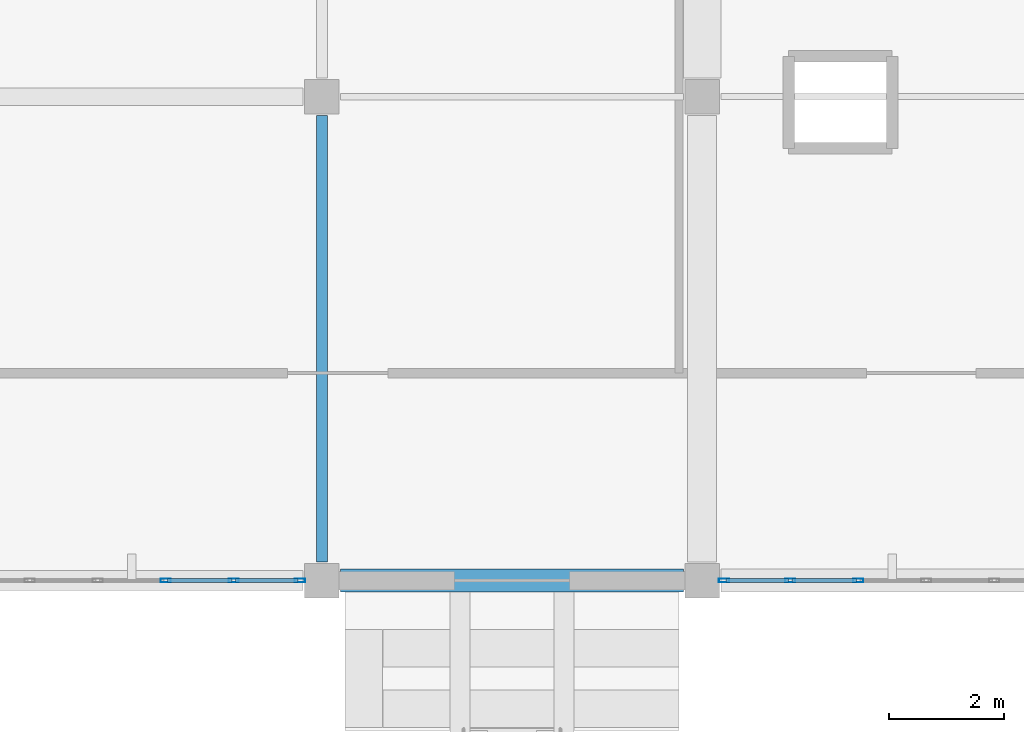
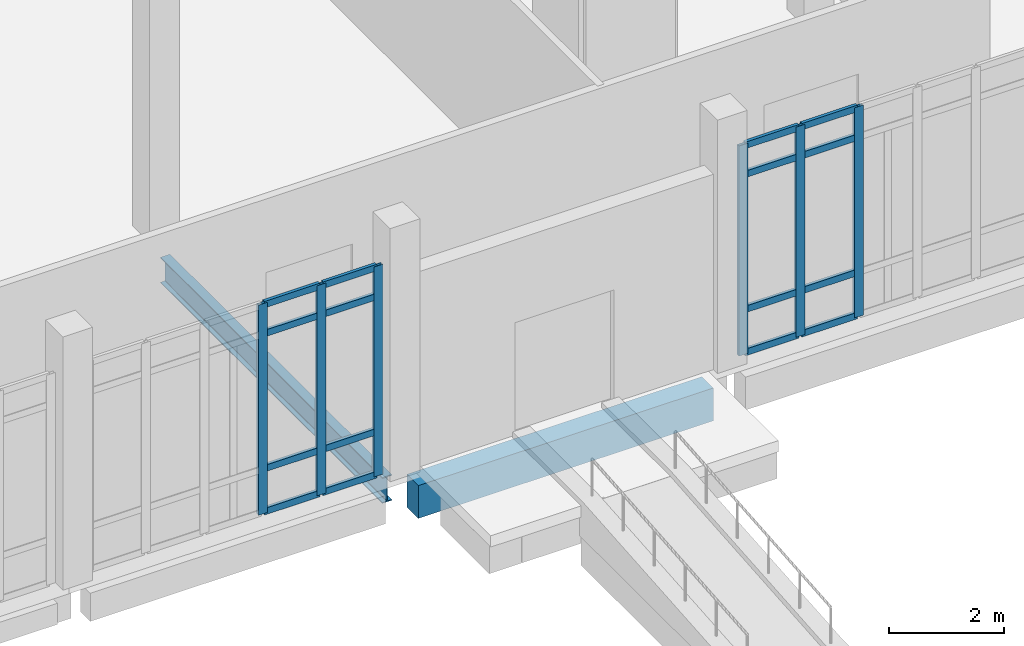
# One storey, part 62 of 110: 22 members, 2 beams, 2 elements without a shape of their own.
"""IFC4 building model written with IfcOpenShell, lengths in metres."""

import ifcopenshell
import ifcopenshell.guid

model = None  # the IFC model being written
_history = None  # IfcOwnerHistory: only IFC2X3 demands one
_inside = {}  # id of a spatial element -> (the spatial element, [elements in it])
_under = {}  # id of a project, library or spatial element -> (it, [spatial elements below it])
_declared = {}  # id of a project -> (the project, [libraries it declares])
_typed = {}  # id of a type object -> (the type object, [elements of that type])
_made_of = {}  # id of a material, layer set ... -> (it, [elements and type objects made of it])


def new_model(schema):
    """Start an empty IFC model of exactly this schema.

    Asked for "IFC4X3", IfcOpenShell would pick the latest addendum, in which some entities
    have other attributes; the version numbers below select the first issue.
    IFC2X3 requires an IfcOwnerHistory on every rooted entity: one is made here for all.
    """
    global model, _history
    if schema == "IFC4X3":
        model = ifcopenshell.file(schema_version=(4, 3, 0, 0))
    else:
        model = ifcopenshell.file(schema=schema)
    _inside.clear()
    _under.clear()
    _declared.clear()
    _typed.clear()
    _made_of.clear()
    _history = None
    if model.schema == "IFC2X3":
        org = make("IfcOrganization", Name="unknown")
        user = make(
            "IfcPersonAndOrganization",
            ThePerson=make("IfcPerson", FamilyName="unknown"),
            TheOrganization=org,
        )
        app = make(
            "IfcApplication",
            ApplicationDeveloper=org,
            Version="unknown",
            ApplicationFullName="unknown",
            ApplicationIdentifier="unknown",
        )
        _history = make(
            "IfcOwnerHistory",
            OwningUser=user,
            OwningApplication=app,
            ChangeAction="ADDED",
            CreationDate=0,
        )
    return model


def make(cls, **values):
    """One entity of the class cls with the attributes given. An attribute that is None is left unset."""
    return model.create_entity(
        cls, **{name: value for name, value in values.items() if value is not None}
    )


def rooted(cls, **values):
    """An entity with a GlobalId (a new one), such as an element, a storey or a relation."""
    return make(cls, GlobalId=ifcopenshell.guid.new(), OwnerHistory=_history, **values)


def si_unit(unit_type, name, prefix=None):
    """IfcSIUnit, for example si_unit("LENGTHUNIT", "METRE", prefix="MILLI")."""
    return make("IfcSIUnit", UnitType=unit_type, Prefix=prefix, Name=name)


def assignment(units):
    """IfcUnitAssignment: the units of a project."""
    return None if units is None else make("IfcUnitAssignment", Units=units)


def point(xyz):
    """IfcCartesianPoint."""
    return None if xyz is None else make("IfcCartesianPoint", Coordinates=xyz)


def direction(xyz):
    """IfcDirection."""
    return None if xyz is None else make("IfcDirection", DirectionRatios=xyz)


def frame(location, z_axis=None, x_axis=None):
    """IfcAxis2Placement3D, a coordinate frame: its origin and axes. An axis left out is left unset."""
    return make(
        "IfcAxis2Placement3D",
        Location=point(location),
        Axis=direction(z_axis),
        RefDirection=direction(x_axis),
    )


def frame_2d(location, x_axis=None):
    """IfcAxis2Placement2D, a coordinate frame in the plane: its origin and x axis."""
    return make(
        "IfcAxis2Placement2D", Location=point(location), RefDirection=direction(x_axis)
    )


def origin():
    """The frame at (0, 0, 0) with its axes left unset."""
    return frame((0.0, 0.0, 0.0))


def origin_2d():
    """The frame at (0, 0) in the plane with its x axis left unset."""
    return frame_2d((0.0, 0.0))


def place(relative_to, where):
    """IfcLocalPlacement: puts the frame where relative to a parent placement (None: the world)."""
    return make(
        "IfcLocalPlacement", PlacementRelTo=relative_to, RelativePlacement=where
    )


def context(
    kind, dimensions, precision=None, world=None, true_north=None, identifier=None
):
    """IfcGeometricRepresentationContext, for example the 3D "Model" context."""
    return make(
        "IfcGeometricRepresentationContext",
        ContextIdentifier=identifier,
        ContextType=kind,
        CoordinateSpaceDimension=dimensions,
        Precision=precision,
        WorldCoordinateSystem=world,
        TrueNorth=true_north,
    )


def subcontext(parent, identifier, kind, view, scale=None):
    """IfcGeometricRepresentationSubContext, for example "Body" below "Model"."""
    return make(
        "IfcGeometricRepresentationSubContext",
        ContextIdentifier=identifier,
        ContextType=kind,
        ParentContext=parent,
        TargetScale=scale,
        TargetView=view,
    )


def project(units=None, contexts=None):
    """IfcProject with its units and contexts."""
    return rooted(
        "IfcProject",
        Name="project",
        RepresentationContexts=contexts,
        UnitsInContext=assignment(units),
    )


def spatial(cls, under=None, at=None, **own):
    """A site, building, storey or space (cls), placed at a placement, below another one or the project."""
    s = rooted(cls, ObjectPlacement=at, **own)
    if under is not None:
        _under.setdefault(under.id(), (under, []))[1].append(s)
    return s


def profile(cls, at=None, kind="AREA", **sizes):
    """A parametric profile (cls). Its sizes go by their IFC names, for example OverallWidth=200.0."""
    return make(cls, ProfileType=kind, Position=at, **sizes)


def rectangle(**sizes):
    """IfcRectangleProfileDef."""
    return profile("IfcRectangleProfileDef", **sizes)


def hollow_rectangle(**sizes):
    """IfcRectangleHollowProfileDef."""
    return profile("IfcRectangleHollowProfileDef", **sizes)


def i_section(**sizes):
    """IfcIShapeProfileDef."""
    return profile("IfcIShapeProfileDef", **sizes)


def extrude(swept, where, along, depth):
    """IfcExtrudedAreaSolid: the profile swept, set in the frame where, extruded along a direction by depth."""
    return make(
        "IfcExtrudedAreaSolid",
        SweptArea=swept,
        Position=where,
        ExtrudedDirection=direction(along),
        Depth=depth,
    )


def shape(context_of_items, identifier, shape_type, items):
    """IfcShapeRepresentation: the items that make up one representation, for example the "Body"."""
    return make(
        "IfcShapeRepresentation",
        ContextOfItems=context_of_items,
        RepresentationIdentifier=identifier,
        RepresentationType=shape_type,
        Items=items,
    )


def material(Name=None, Category=None):
    """IfcMaterial."""
    return make("IfcMaterial", Name=Name, Category=Category)


def material_profile(
    of_material, cross_section, Name=None, Category=None, Priority=None
):
    """IfcMaterialProfile: a cross section and its material."""
    return make(
        "IfcMaterialProfile",
        Name=Name,
        Material=of_material,
        Profile=cross_section,
        Priority=Priority,
        Category=Category,
    )


def profile_set(profiles, Name=None, composite=None):
    """IfcMaterialProfileSet."""
    return make(
        "IfcMaterialProfileSet",
        Name=Name,
        MaterialProfiles=profiles,
        CompositeProfile=composite,
    )


def made_of(thing, what):
    """Note that an element or type object is made of a material, layer set ...; save() writes the relation."""
    if what is not None:
        _made_of.setdefault(what.id(), (what, []))[1].append(thing)
    return thing


def type_object(cls, material=None, **own):
    """A type object (cls), such as IfcWallType, which elements share."""
    return made_of(rooted(cls, **own), material)


def element(
    cls,
    number,
    at=None,
    inside=None,
    cuts=None,
    type_object=None,
    material=None,
    context=None,
    identifier="Body",
    shape_type=None,
    held_by="IfcProductDefinitionShape",
    body=None,
    shapes=None,
    **own,
):
    """One element of the class cls, such as IfcWall. Its Tag is "e" and its number.

    at: its placement. inside: the storey or other place that contains it. cuts: it is an
    opening in that element (IfcRelVoidsElement). A single representation is given by context,
    identifier, shape_type and body (its items); several are given by shapes. held_by: the class
    of the entity that holds the representations. save() writes the other relations.
    """
    e = rooted(cls, Tag="e%d" % number, ObjectPlacement=at, **own)
    if body is not None:
        shapes = [shape(context, identifier, shape_type, body)]
    if shapes is not None:
        e.Representation = make(held_by, Representations=shapes)
    if inside is not None:
        _inside.setdefault(inside.id(), (inside, []))[1].append(e)
    if cuts is not None:
        rooted(
            "IfcRelVoidsElement", RelatingBuildingElement=cuts, RelatedOpeningElement=e
        )
    if type_object is not None:
        _typed.setdefault(type_object.id(), (type_object, []))[1].append(e)
    return made_of(e, material)


def aggregate(whole, parts):
    """IfcRelAggregates: a whole, such as a stair, and the parts it consists of."""
    return rooted("IfcRelAggregates", RelatingObject=whole, RelatedObjects=parts)


def save(model, path):
    """Write the relations noted so far, then the file.

    IfcRelAggregates (storeys below a building ...), IfcRelContainedInSpatialStructure (elements
    in a storey), IfcRelDefinesByType, IfcRelAssociatesMaterial and IfcRelDeclares: one each for
    every whole, place, type object, material and project.
    """
    for whole, parts in _under.values():
        aggregate(whole, parts)
    for where, things in _inside.values():
        rooted(
            "IfcRelContainedInSpatialStructure",
            RelatedElements=things,
            RelatingStructure=where,
        )
    for kind, things in _typed.values():
        rooted("IfcRelDefinesByType", RelatedObjects=things, RelatingType=kind)
    for what, things in _made_of.values():
        rooted("IfcRelAssociatesMaterial", RelatedObjects=things, RelatingMaterial=what)
    for by, libraries in _declared.values():
        rooted("IfcRelDeclares", RelatingContext=by, RelatedDefinitions=libraries)
    model.write(path)


model = new_model("IFC4")

# Units and contexts
model_context = context("Model", 3, precision=1e-05, world=origin(), true_north=direction((0.0, 1.0)))
body_context = subcontext(model_context, "Body", "Model", "MODEL_VIEW")
ifc_project = project(units=[si_unit("LENGTHUNIT", "METRE"), si_unit("AREAUNIT", "SQUARE_METRE"), si_unit("VOLUMEUNIT", "CUBIC_METRE"), si_unit("PLANEANGLEUNIT", "RADIAN"), si_unit("MASSUNIT", "GRAM", prefix="KILO")], contexts=[model_context])

# Site, building, storey
site_placement = place(None, origin())
site = spatial("IfcSite", under=ifc_project, at=site_placement, CompositionType="ELEMENT")
building_placement = place(site_placement, origin())
building = spatial("IfcBuilding", under=site, at=building_placement, Name="Kalluvel Institute of Natural Sciences", CompositionType="ELEMENT")
storey_placement = place(building_placement, origin())
storey = spatial("IfcBuildingStorey", under=building, at=storey_placement, Name="L00", CompositionType="ELEMENT", Elevation=0.0)

# Beam
ifc_material_1 = material(Name="Steel E350 Grade 350", Category="steel")
ifc_material_profile_1 = material_profile(ifc_material_1, i_section(OverallWidth=0.18994140625, OverallDepth=0.550048828125, WebThickness=0.01123046875, FlangeThickness=0.019287109375, FilletRadius=0.01806640625, at=origin_2d()), Name="ISMB 550")
ifc_profile_set_1 = profile_set([ifc_material_profile_1], Name="Steel E350 Grade 350")
beam_type_1 = type_object("IfcBeamType", Name="BM-ISMB550", PredefinedType="BEAM", material=ifc_profile_set_1)
beam_1_placement = place(storey_placement, frame((135.800048828125, 103.125, -0.635009765625), z_axis=(0.0, 1.0, 0.0), x_axis=(-1.0, 0.0, 0.0)))
element("IfcBeam", 1, at=beam_1_placement, inside=storey, type_object=beam_type_1, Name="L00 girder GIR-L00-NS-X1358-Y1028", PredefinedType="BEAM", context=body_context, shape_type="SweptSolid", body=[
    extrude(i_section(OverallWidth=0.18994140625, OverallDepth=0.550048828125, WebThickness=0.01123046875, FlangeThickness=0.019287109375, FilletRadius=0.01806640625, at=origin_2d()), origin(), (0.0, 0.0, 1.0), 7.75),
])

# Curtain wall, members
ifc_material_2 = material(Name="Aluminium AW-6063 T6", Category="aluminium")
curtain_wall_type = type_object("IfcCurtainWallType", Name="CW-CLN-54", PredefinedType="USERDEFINED", material=ifc_material_2)
curtain_wall_1_placement = place(storey_placement, origin())
curtain_wall_1 = element("IfcCurtainWall", 2, at=curtain_wall_1_placement, inside=storey, type_object=curtain_wall_type, Name="L00 Gothic lancet curtain wall CWA-L00-X1296-Y1028", ObjectType="UNITISED LANCET FACADE", PredefinedType="USERDEFINED")
ifc_material_profile_2 = material_profile(ifc_material_2, hollow_rectangle(XDim=0.06494140625, YDim=0.179931640625, WallThickness=0.00439453125, at=origin_2d()), Name="CWM 65x180")
ifc_profile_set_2 = profile_set([ifc_material_profile_2], Name="Aluminium AW-6063 T6")
member_type_1 = type_object("IfcMemberType", Name="CWM-65x180", PredefinedType="MULLION", material=ifc_profile_set_2)
member_1_placement = place(storey_placement, frame((133.090087890625, 102.800048828125, 0.0), z_axis=(0.0, 0.0, 1.0), x_axis=(0.0, 1.0, 0.0)))
member_1 = element("IfcMember", 3, at=member_1_placement, type_object=member_type_1, Name="CW-09 mullion 4", PredefinedType="MULLION", context=body_context, shape_type="SweptSolid", body=[
    extrude(hollow_rectangle(XDim=0.06494140625, YDim=0.179931640625, WallThickness=0.00439453125, at=origin_2d()), origin(), (0.0, 0.0, 1.0), 4.47998046875),
])
member_2_placement = place(storey_placement, frame((134.27001953125, 102.800048828125, 0.0), z_axis=(0.0, 0.0, 1.0), x_axis=(0.0, 1.0, 0.0)))
member_2 = element("IfcMember", 4, at=member_2_placement, type_object=member_type_1, Name="CW-09 mullion 5", PredefinedType="MULLION", context=body_context, shape_type="SweptSolid", body=[
    extrude(hollow_rectangle(XDim=0.06494140625, YDim=0.179931640625, WallThickness=0.00439453125, at=origin_2d()), origin(), (0.0, 0.0, 1.0), 4.47998046875),
])
member_3_placement = place(storey_placement, frame((135.41748046875, 102.800048828125, 0.0), z_axis=(0.0, 0.0, 1.0), x_axis=(0.0, 1.0, 0.0)))
member_3 = element("IfcMember", 5, at=member_3_placement, type_object=member_type_1, Name="CW-09 mullion 6", PredefinedType="MULLION", context=body_context, shape_type="SweptSolid", body=[
    extrude(hollow_rectangle(XDim=0.06494140625, YDim=0.179931640625, WallThickness=0.00439453125, at=origin_2d()), origin(), (0.0, 0.0, 1.0), 4.47998046875),
])

curtain_wall_2_placement = place(storey_placement, origin())
curtain_wall_2 = element("IfcCurtainWall", 6, at=curtain_wall_2_placement, inside=storey, type_object=curtain_wall_type, Name="L00 Gothic lancet curtain wall CWA-L00-X1428-Y1028", ObjectType="UNITISED LANCET FACADE", PredefinedType="USERDEFINED")
member_4_placement = place(storey_placement, frame((142.782470703125, 102.800048828125, 0.0), z_axis=(0.0, 0.0, 1.0), x_axis=(0.0, 1.0, 0.0)))
member_4 = element("IfcMember", 7, at=member_4_placement, type_object=member_type_1, Name="CW-09 mullion 1", PredefinedType="MULLION", context=body_context, shape_type="SweptSolid", body=[
    extrude(hollow_rectangle(XDim=0.06494140625, YDim=0.179931640625, WallThickness=0.00439453125, at=origin_2d()), origin(), (0.0, 0.0, 1.0), 4.47998046875),
])
member_5_placement = place(storey_placement, frame((143.929931640625, 102.800048828125, 0.0), z_axis=(0.0, 0.0, 1.0), x_axis=(0.0, 1.0, 0.0)))
member_5 = element("IfcMember", 8, at=member_5_placement, type_object=member_type_1, Name="CW-09 mullion 2", PredefinedType="MULLION", context=body_context, shape_type="SweptSolid", body=[
    extrude(hollow_rectangle(XDim=0.06494140625, YDim=0.179931640625, WallThickness=0.00439453125, at=origin_2d()), origin(), (0.0, 0.0, 1.0), 4.47998046875),
])
member_6_placement = place(storey_placement, frame((145.110107421875, 102.800048828125, 0.0), z_axis=(0.0, 0.0, 1.0), x_axis=(0.0, 1.0, 0.0)))
member_6 = element("IfcMember", 9, at=member_6_placement, type_object=member_type_1, Name="CW-09 mullion 3", PredefinedType="MULLION", context=body_context, shape_type="SweptSolid", body=[
    extrude(hollow_rectangle(XDim=0.06494140625, YDim=0.179931640625, WallThickness=0.00439453125, at=origin_2d()), origin(), (0.0, 0.0, 1.0), 4.47998046875),
])

# Member
ifc_material_profile_3 = material_profile(ifc_material_2, hollow_rectangle(XDim=0.06494140625, YDim=0.139892578125, WallThickness=0.00439453125, at=origin_2d()), Name="CWT 65x140")
ifc_profile_set_3 = profile_set([ifc_material_profile_3], Name="Aluminium AW-6063 T6")
member_type_2 = type_object("IfcMemberType", Name="CWT-65x140", PredefinedType="USERDEFINED", material=ifc_profile_set_3)
member_7_placement = place(storey_placement, frame((133.12255859375, 102.800048828125, 0.032470703125), z_axis=(1.0, 0.0, 0.0), x_axis=(0.0, 1.0, 0.0)))
member_7 = element("IfcMember", 10, at=member_7_placement, type_object=member_type_2, Name="CW-09 transom 4.1", ObjectType="TRANSOM", PredefinedType="USERDEFINED", context=body_context, shape_type="SweptSolid", body=[
    extrude(hollow_rectangle(XDim=0.06494140625, YDim=0.139892578125, WallThickness=0.00439453125, at=origin_2d()), origin(), (0.0, 0.0, 1.0), 1.114990234375),
])

member_8_placement = place(storey_placement, frame((133.12255859375, 102.800048828125, 0.949951171875), z_axis=(1.0, 0.0, 0.0), x_axis=(0.0, 1.0, 0.0)))
member_8 = element("IfcMember", 11, at=member_8_placement, type_object=member_type_2, Name="CW-09 transom 4.2", ObjectType="TRANSOM", PredefinedType="USERDEFINED", context=body_context, shape_type="SweptSolid", body=[
    extrude(hollow_rectangle(XDim=0.06494140625, YDim=0.139892578125, WallThickness=0.00439453125, at=origin_2d()), origin(), (0.0, 0.0, 1.0), 1.114990234375),
])

member_9_placement = place(storey_placement, frame((133.12255859375, 102.800048828125, 3.830078125), z_axis=(1.0, 0.0, 0.0), x_axis=(0.0, 1.0, 0.0)))
member_9 = element("IfcMember", 12, at=member_9_placement, type_object=member_type_2, Name="CW-09 transom 4.3", ObjectType="TRANSOM", PredefinedType="USERDEFINED", context=body_context, shape_type="SweptSolid", body=[
    extrude(hollow_rectangle(XDim=0.06494140625, YDim=0.139892578125, WallThickness=0.00439453125, at=origin_2d()), origin(), (0.0, 0.0, 1.0), 1.114990234375),
])

member_10_placement = place(storey_placement, frame((133.12255859375, 102.800048828125, 4.447509765625), z_axis=(1.0, 0.0, 0.0), x_axis=(0.0, 1.0, 0.0)))
member_10 = element("IfcMember", 13, at=member_10_placement, type_object=member_type_2, Name="CW-09 transom 4.4", ObjectType="TRANSOM", PredefinedType="USERDEFINED", context=body_context, shape_type="SweptSolid", body=[
    extrude(hollow_rectangle(XDim=0.06494140625, YDim=0.139892578125, WallThickness=0.00439453125, at=origin_2d()), origin(), (0.0, 0.0, 1.0), 1.114990234375),
])

member_11_placement = place(storey_placement, frame((134.302490234375, 102.800048828125, 0.032470703125), z_axis=(1.0, 0.0, 0.0), x_axis=(0.0, 1.0, 0.0)))
member_11 = element("IfcMember", 14, at=member_11_placement, type_object=member_type_2, Name="CW-09 transom 5.1", ObjectType="TRANSOM", PredefinedType="USERDEFINED", context=body_context, shape_type="SweptSolid", body=[
    extrude(hollow_rectangle(XDim=0.06494140625, YDim=0.139892578125, WallThickness=0.00439453125, at=origin_2d()), origin(), (0.0, 0.0, 1.0), 1.08251953125),
])

member_12_placement = place(storey_placement, frame((134.302490234375, 102.800048828125, 0.949951171875), z_axis=(1.0, 0.0, 0.0), x_axis=(0.0, 1.0, 0.0)))
member_12 = element("IfcMember", 15, at=member_12_placement, type_object=member_type_2, Name="CW-09 transom 5.2", ObjectType="TRANSOM", PredefinedType="USERDEFINED", context=body_context, shape_type="SweptSolid", body=[
    extrude(hollow_rectangle(XDim=0.06494140625, YDim=0.139892578125, WallThickness=0.00439453125, at=origin_2d()), origin(), (0.0, 0.0, 1.0), 1.08251953125),
])

member_13_placement = place(storey_placement, frame((134.302490234375, 102.800048828125, 3.830078125), z_axis=(1.0, 0.0, 0.0), x_axis=(0.0, 1.0, 0.0)))
member_13 = element("IfcMember", 16, at=member_13_placement, type_object=member_type_2, Name="CW-09 transom 5.3", ObjectType="TRANSOM", PredefinedType="USERDEFINED", context=body_context, shape_type="SweptSolid", body=[
    extrude(hollow_rectangle(XDim=0.06494140625, YDim=0.139892578125, WallThickness=0.00439453125, at=origin_2d()), origin(), (0.0, 0.0, 1.0), 1.08251953125),
])

member_14_placement = place(storey_placement, frame((134.302490234375, 102.800048828125, 4.447509765625), z_axis=(1.0, 0.0, 0.0), x_axis=(0.0, 1.0, 0.0)))
member_14 = element("IfcMember", 17, at=member_14_placement, type_object=member_type_2, Name="CW-09 transom 5.4", ObjectType="TRANSOM", PredefinedType="USERDEFINED", context=body_context, shape_type="SweptSolid", body=[
    extrude(hollow_rectangle(XDim=0.06494140625, YDim=0.139892578125, WallThickness=0.00439453125, at=origin_2d()), origin(), (0.0, 0.0, 1.0), 1.08251953125),
])

aggregate(curtain_wall_1, [member_1, member_2, member_3, member_7, member_8, member_9, member_10, member_11, member_12, member_13, member_14])

member_15_placement = place(storey_placement, frame((142.81494140625, 102.800048828125, 0.032470703125), z_axis=(1.0, 0.0, 0.0), x_axis=(0.0, 1.0, 0.0)))
member_15 = element("IfcMember", 18, at=member_15_placement, type_object=member_type_2, Name="CW-09 transom 1.1", ObjectType="TRANSOM", PredefinedType="USERDEFINED", context=body_context, shape_type="SweptSolid", body=[
    extrude(hollow_rectangle(XDim=0.06494140625, YDim=0.139892578125, WallThickness=0.00439453125, at=origin_2d()), origin(), (0.0, 0.0, 1.0), 1.08251953125),
])

member_16_placement = place(storey_placement, frame((142.81494140625, 102.800048828125, 0.949951171875), z_axis=(1.0, 0.0, 0.0), x_axis=(0.0, 1.0, 0.0)))
member_16 = element("IfcMember", 19, at=member_16_placement, type_object=member_type_2, Name="CW-09 transom 1.2", ObjectType="TRANSOM", PredefinedType="USERDEFINED", context=body_context, shape_type="SweptSolid", body=[
    extrude(hollow_rectangle(XDim=0.06494140625, YDim=0.139892578125, WallThickness=0.00439453125, at=origin_2d()), origin(), (0.0, 0.0, 1.0), 1.08251953125),
])

member_17_placement = place(storey_placement, frame((142.81494140625, 102.800048828125, 3.830078125), z_axis=(1.0, 0.0, 0.0), x_axis=(0.0, 1.0, 0.0)))
member_17 = element("IfcMember", 20, at=member_17_placement, type_object=member_type_2, Name="CW-09 transom 1.3", ObjectType="TRANSOM", PredefinedType="USERDEFINED", context=body_context, shape_type="SweptSolid", body=[
    extrude(hollow_rectangle(XDim=0.06494140625, YDim=0.139892578125, WallThickness=0.00439453125, at=origin_2d()), origin(), (0.0, 0.0, 1.0), 1.08251953125),
])

member_18_placement = place(storey_placement, frame((142.81494140625, 102.800048828125, 4.447509765625), z_axis=(1.0, 0.0, 0.0), x_axis=(0.0, 1.0, 0.0)))
member_18 = element("IfcMember", 21, at=member_18_placement, type_object=member_type_2, Name="CW-09 transom 1.4", ObjectType="TRANSOM", PredefinedType="USERDEFINED", context=body_context, shape_type="SweptSolid", body=[
    extrude(hollow_rectangle(XDim=0.06494140625, YDim=0.139892578125, WallThickness=0.00439453125, at=origin_2d()), origin(), (0.0, 0.0, 1.0), 1.08251953125),
])

member_19_placement = place(storey_placement, frame((143.96240234375, 102.800048828125, 0.032470703125), z_axis=(1.0, 0.0, 0.0), x_axis=(0.0, 1.0, 0.0)))
member_19 = element("IfcMember", 22, at=member_19_placement, type_object=member_type_2, Name="CW-09 transom 2.1", ObjectType="TRANSOM", PredefinedType="USERDEFINED", context=body_context, shape_type="SweptSolid", body=[
    extrude(hollow_rectangle(XDim=0.06494140625, YDim=0.139892578125, WallThickness=0.00439453125, at=origin_2d()), origin(), (0.0, 0.0, 1.0), 1.114990234375),
])

member_20_placement = place(storey_placement, frame((143.96240234375, 102.800048828125, 0.949951171875), z_axis=(1.0, 0.0, 0.0), x_axis=(0.0, 1.0, 0.0)))
member_20 = element("IfcMember", 23, at=member_20_placement, type_object=member_type_2, Name="CW-09 transom 2.2", ObjectType="TRANSOM", PredefinedType="USERDEFINED", context=body_context, shape_type="SweptSolid", body=[
    extrude(hollow_rectangle(XDim=0.06494140625, YDim=0.139892578125, WallThickness=0.00439453125, at=origin_2d()), origin(), (0.0, 0.0, 1.0), 1.114990234375),
])

member_21_placement = place(storey_placement, frame((143.96240234375, 102.800048828125, 3.830078125), z_axis=(1.0, 0.0, 0.0), x_axis=(0.0, 1.0, 0.0)))
member_21 = element("IfcMember", 24, at=member_21_placement, type_object=member_type_2, Name="CW-09 transom 2.3", ObjectType="TRANSOM", PredefinedType="USERDEFINED", context=body_context, shape_type="SweptSolid", body=[
    extrude(hollow_rectangle(XDim=0.06494140625, YDim=0.139892578125, WallThickness=0.00439453125, at=origin_2d()), origin(), (0.0, 0.0, 1.0), 1.114990234375),
])

member_22_placement = place(storey_placement, frame((143.96240234375, 102.800048828125, 4.447509765625), z_axis=(1.0, 0.0, 0.0), x_axis=(0.0, 1.0, 0.0)))
member_22 = element("IfcMember", 25, at=member_22_placement, type_object=member_type_2, Name="CW-09 transom 2.4", ObjectType="TRANSOM", PredefinedType="USERDEFINED", context=body_context, shape_type="SweptSolid", body=[
    extrude(hollow_rectangle(XDim=0.06494140625, YDim=0.139892578125, WallThickness=0.00439453125, at=origin_2d()), origin(), (0.0, 0.0, 1.0), 1.114990234375),
])

aggregate(curtain_wall_2, [member_4, member_5, member_6, member_15, member_16, member_17, member_18, member_19, member_20, member_21, member_22])

# Beam
ifc_material_3 = material(Name="Concrete M40", Category="concrete")
ifc_material_profile_4 = material_profile(ifc_material_3, rectangle(XDim=0.39990234375, YDim=0.699951171875, at=origin_2d()), Name="RCB 400x700")
ifc_profile_set_4 = profile_set([ifc_material_profile_4], Name="Concrete M40")
beam_type_2 = type_object("IfcBeamType", Name="SP-RC400x700", PredefinedType="SPANDREL", material=ifc_profile_set_4)
beam_2_placement = place(storey_placement, frame((136.125, 102.800048828125, -0.7099609375), z_axis=(1.0, 0.0, 0.0), x_axis=(0.0, 1.0, 0.0)))
element("IfcBeam", 26, at=beam_2_placement, inside=storey, type_object=beam_type_2, Name="L00 girder GIR-L00-EW-X1358-Y1028", PredefinedType="SPANDREL", context=body_context, shape_type="SweptSolid", body=[
    extrude(rectangle(XDim=0.39990234375, YDim=0.699951171875, at=origin_2d()), origin(), (0.0, 0.0, 1.0), 5.949951171875),
])

save(model, "model.ifc")
